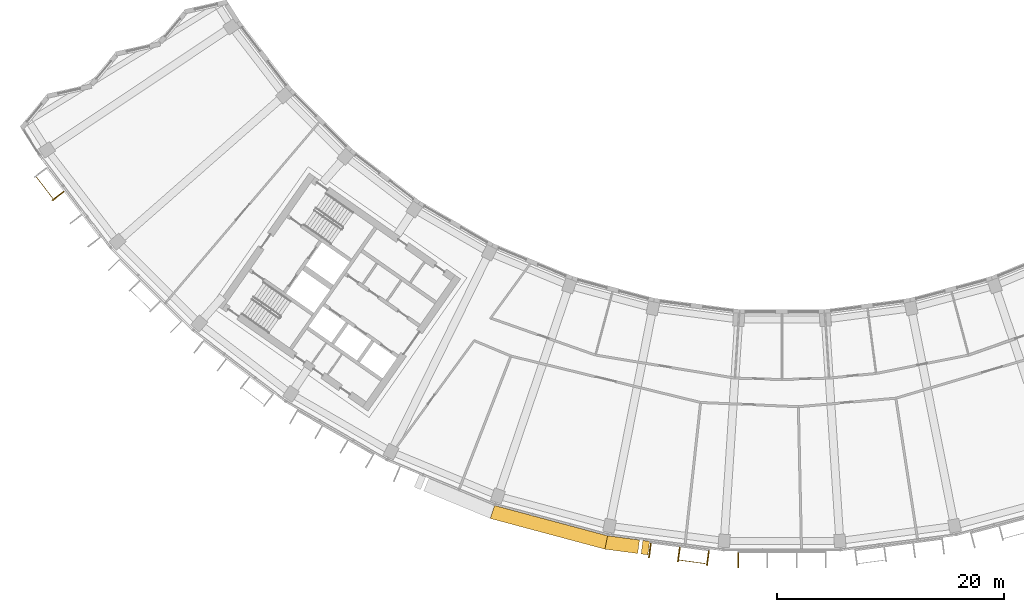
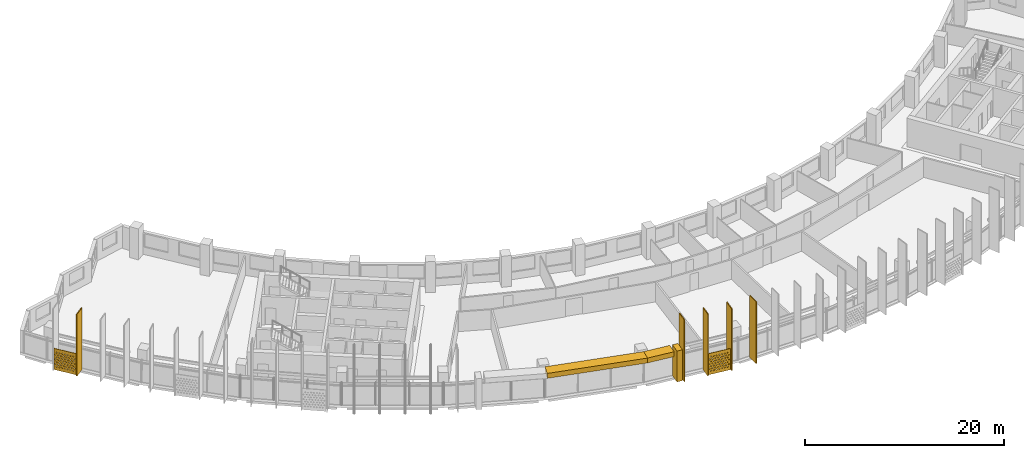
# One storey, part 25 of 28: 10 shading devices.
"""IFC4 building model written with IfcOpenShell, lengths in metres."""

import ifcopenshell
import ifcopenshell.guid

model = None  # the IFC model being written
_history = None  # IfcOwnerHistory: only IFC2X3 demands one
_inside = {}  # id of a spatial element -> (the spatial element, [elements in it])
_under = {}  # id of a project, library or spatial element -> (it, [spatial elements below it])
_declared = {}  # id of a project -> (the project, [libraries it declares])
_typed = {}  # id of a type object -> (the type object, [elements of that type])
_made_of = {}  # id of a material, layer set ... -> (it, [elements and type objects made of it])


def new_model(schema):
    """Start an empty IFC model of exactly this schema.

    Asked for "IFC4X3", IfcOpenShell would pick the latest addendum, in which some entities
    have other attributes; the version numbers below select the first issue.
    IFC2X3 requires an IfcOwnerHistory on every rooted entity: one is made here for all.
    """
    global model, _history
    if schema == "IFC4X3":
        model = ifcopenshell.file(schema_version=(4, 3, 0, 0))
    else:
        model = ifcopenshell.file(schema=schema)
    _inside.clear()
    _under.clear()
    _declared.clear()
    _typed.clear()
    _made_of.clear()
    _history = None
    if model.schema == "IFC2X3":
        org = make("IfcOrganization", Name="unknown")
        user = make(
            "IfcPersonAndOrganization",
            ThePerson=make("IfcPerson", FamilyName="unknown"),
            TheOrganization=org,
        )
        app = make(
            "IfcApplication",
            ApplicationDeveloper=org,
            Version="unknown",
            ApplicationFullName="unknown",
            ApplicationIdentifier="unknown",
        )
        _history = make(
            "IfcOwnerHistory",
            OwningUser=user,
            OwningApplication=app,
            ChangeAction="ADDED",
            CreationDate=0,
        )
    return model


def make(cls, **values):
    """One entity of the class cls with the attributes given. An attribute that is None is left unset."""
    return model.create_entity(
        cls, **{name: value for name, value in values.items() if value is not None}
    )


def rooted(cls, **values):
    """An entity with a GlobalId (a new one), such as an element, a storey or a relation."""
    return make(cls, GlobalId=ifcopenshell.guid.new(), OwnerHistory=_history, **values)


def si_unit(unit_type, name, prefix=None):
    """IfcSIUnit, for example si_unit("LENGTHUNIT", "METRE", prefix="MILLI")."""
    return make("IfcSIUnit", UnitType=unit_type, Prefix=prefix, Name=name)


def assignment(units):
    """IfcUnitAssignment: the units of a project."""
    return None if units is None else make("IfcUnitAssignment", Units=units)


def point(xyz):
    """IfcCartesianPoint."""
    return None if xyz is None else make("IfcCartesianPoint", Coordinates=xyz)


def direction(xyz):
    """IfcDirection."""
    return None if xyz is None else make("IfcDirection", DirectionRatios=xyz)


def frame(location, z_axis=None, x_axis=None):
    """IfcAxis2Placement3D, a coordinate frame: its origin and axes. An axis left out is left unset."""
    return make(
        "IfcAxis2Placement3D",
        Location=point(location),
        Axis=direction(z_axis),
        RefDirection=direction(x_axis),
    )


def frame_2d(location, x_axis=None):
    """IfcAxis2Placement2D, a coordinate frame in the plane: its origin and x axis."""
    return make(
        "IfcAxis2Placement2D", Location=point(location), RefDirection=direction(x_axis)
    )


def origin():
    """The frame at (0, 0, 0) with its axes left unset."""
    return frame((0.0, 0.0, 0.0))


def origin_2d():
    """The frame at (0, 0) in the plane with its x axis left unset."""
    return frame_2d((0.0, 0.0))


def place(relative_to, where):
    """IfcLocalPlacement: puts the frame where relative to a parent placement (None: the world)."""
    return make(
        "IfcLocalPlacement", PlacementRelTo=relative_to, RelativePlacement=where
    )


def context(
    kind, dimensions, precision=None, world=None, true_north=None, identifier=None
):
    """IfcGeometricRepresentationContext, for example the 3D "Model" context."""
    return make(
        "IfcGeometricRepresentationContext",
        ContextIdentifier=identifier,
        ContextType=kind,
        CoordinateSpaceDimension=dimensions,
        Precision=precision,
        WorldCoordinateSystem=world,
        TrueNorth=true_north,
    )


def subcontext(parent, identifier, kind, view, scale=None):
    """IfcGeometricRepresentationSubContext, for example "Body" below "Model"."""
    return make(
        "IfcGeometricRepresentationSubContext",
        ContextIdentifier=identifier,
        ContextType=kind,
        ParentContext=parent,
        TargetScale=scale,
        TargetView=view,
    )


def project(units=None, contexts=None):
    """IfcProject with its units and contexts."""
    return rooted(
        "IfcProject",
        Name="project",
        RepresentationContexts=contexts,
        UnitsInContext=assignment(units),
    )


def spatial(cls, under=None, at=None, **own):
    """A site, building, storey or space (cls), placed at a placement, below another one or the project."""
    s = rooted(cls, ObjectPlacement=at, **own)
    if under is not None:
        _under.setdefault(under.id(), (under, []))[1].append(s)
    return s


def polyline(points):
    """IfcPolyline through the points."""
    return make("IfcPolyline", Points=[point(p) for p in points])


def profile(cls, at=None, kind="AREA", **sizes):
    """A parametric profile (cls). Its sizes go by their IFC names, for example OverallWidth=200.0."""
    return make(cls, ProfileType=kind, Position=at, **sizes)


def rectangle(**sizes):
    """IfcRectangleProfileDef."""
    return profile("IfcRectangleProfileDef", **sizes)


def outline(outer, holes=None, kind="AREA"):
    """IfcArbitraryClosedProfileDef: a profile drawn as a closed curve; with holes, ...WithVoids."""
    if holes is None:
        return make("IfcArbitraryClosedProfileDef", ProfileType=kind, OuterCurve=outer)
    return make(
        "IfcArbitraryProfileDefWithVoids",
        ProfileType=kind,
        OuterCurve=outer,
        InnerCurves=holes,
    )


def extrude(swept, where, along, depth):
    """IfcExtrudedAreaSolid: the profile swept, set in the frame where, extruded along a direction by depth."""
    return make(
        "IfcExtrudedAreaSolid",
        SweptArea=swept,
        Position=where,
        ExtrudedDirection=direction(along),
        Depth=depth,
    )


def shape(context_of_items, identifier, shape_type, items):
    """IfcShapeRepresentation: the items that make up one representation, for example the "Body"."""
    return make(
        "IfcShapeRepresentation",
        ContextOfItems=context_of_items,
        RepresentationIdentifier=identifier,
        RepresentationType=shape_type,
        Items=items,
    )


def material(Name=None, Category=None):
    """IfcMaterial."""
    return make("IfcMaterial", Name=Name, Category=Category)


def material_profile(
    of_material, cross_section, Name=None, Category=None, Priority=None
):
    """IfcMaterialProfile: a cross section and its material."""
    return make(
        "IfcMaterialProfile",
        Name=Name,
        Material=of_material,
        Profile=cross_section,
        Priority=Priority,
        Category=Category,
    )


def profile_set(profiles, Name=None, composite=None):
    """IfcMaterialProfileSet."""
    return make(
        "IfcMaterialProfileSet",
        Name=Name,
        MaterialProfiles=profiles,
        CompositeProfile=composite,
    )


def made_of(thing, what):
    """Note that an element or type object is made of a material, layer set ...; save() writes the relation."""
    if what is not None:
        _made_of.setdefault(what.id(), (what, []))[1].append(thing)
    return thing


def type_object(cls, material=None, **own):
    """A type object (cls), such as IfcWallType, which elements share."""
    return made_of(rooted(cls, **own), material)


def element(
    cls,
    number,
    at=None,
    inside=None,
    cuts=None,
    type_object=None,
    material=None,
    context=None,
    identifier="Body",
    shape_type=None,
    held_by="IfcProductDefinitionShape",
    body=None,
    shapes=None,
    **own,
):
    """One element of the class cls, such as IfcWall. Its Tag is "e" and its number.

    at: its placement. inside: the storey or other place that contains it. cuts: it is an
    opening in that element (IfcRelVoidsElement). A single representation is given by context,
    identifier, shape_type and body (its items); several are given by shapes. held_by: the class
    of the entity that holds the representations. save() writes the other relations.
    """
    e = rooted(cls, Tag="e%d" % number, ObjectPlacement=at, **own)
    if body is not None:
        shapes = [shape(context, identifier, shape_type, body)]
    if shapes is not None:
        e.Representation = make(held_by, Representations=shapes)
    if inside is not None:
        _inside.setdefault(inside.id(), (inside, []))[1].append(e)
    if cuts is not None:
        rooted(
            "IfcRelVoidsElement", RelatingBuildingElement=cuts, RelatedOpeningElement=e
        )
    if type_object is not None:
        _typed.setdefault(type_object.id(), (type_object, []))[1].append(e)
    return made_of(e, material)


def aggregate(whole, parts):
    """IfcRelAggregates: a whole, such as a stair, and the parts it consists of."""
    return rooted("IfcRelAggregates", RelatingObject=whole, RelatedObjects=parts)


def save(model, path):
    """Write the relations noted so far, then the file.

    IfcRelAggregates (storeys below a building ...), IfcRelContainedInSpatialStructure (elements
    in a storey), IfcRelDefinesByType, IfcRelAssociatesMaterial and IfcRelDeclares: one each for
    every whole, place, type object, material and project.
    """
    for whole, parts in _under.values():
        aggregate(whole, parts)
    for where, things in _inside.values():
        rooted(
            "IfcRelContainedInSpatialStructure",
            RelatedElements=things,
            RelatingStructure=where,
        )
    for kind, things in _typed.values():
        rooted("IfcRelDefinesByType", RelatedObjects=things, RelatingType=kind)
    for what, things in _made_of.values():
        rooted("IfcRelAssociatesMaterial", RelatedObjects=things, RelatingMaterial=what)
    for by, libraries in _declared.values():
        rooted("IfcRelDeclares", RelatingContext=by, RelatedDefinitions=libraries)
    model.write(path)


model = new_model("IFC4")

# Units and contexts
model_context = context("Model", 3, precision=1e-05, world=origin(), true_north=direction((0.0, 1.0)))
body_context = subcontext(model_context, "Body", "Model", "MODEL_VIEW")
ifc_project = project(units=[si_unit("LENGTHUNIT", "METRE"), si_unit("AREAUNIT", "SQUARE_METRE"), si_unit("VOLUMEUNIT", "CUBIC_METRE"), si_unit("PLANEANGLEUNIT", "RADIAN"), si_unit("MASSUNIT", "GRAM", prefix="KILO")], contexts=[model_context])

# Site, building, storey
site_placement = place(None, origin())
site = spatial("IfcSite", under=ifc_project, at=site_placement, CompositionType="ELEMENT")
building_placement = place(site_placement, origin())
building = spatial("IfcBuilding", under=site, at=building_placement, Name="Qamariyya Broadcast Tower", CompositionType="ELEMENT")
storey_placement = place(building_placement, frame((0.0, 0.0, 234.10009765625)))
storey = spatial("IfcBuildingStorey", under=building, at=storey_placement, Name="L56", CompositionType="ELEMENT", Elevation=234.10009765625)

# Shading devices
ifc_material_1 = material(Name="Steel S355 powder coated deep red", Category="steel")
shading_device_type_1 = type_object("IfcShadingDeviceType", Name="Deep red frame, powder coated steel box section", PredefinedType="USERDEFINED", material=ifc_material_1)
shading_device_1_placement = place(storey_placement, origin())
element("IfcShadingDevice", 1, at=shading_device_1_placement, inside=storey, type_object=shading_device_type_1, Name="e-frm-B4-F1-postb-L56", ObjectType="FRAME", PredefinedType="USERDEFINED", context=body_context, shape_type="SweptSolid", body=[
    extrude(outline(polyline([(-12.2412109375, -77.547119140625), (-12.39794921875, -78.737060546875), (-11.802978515625, -78.815185546875), (-11.646484375, -77.62548828125), (-12.2412109375, -77.547119140625)])), origin(), (0.0, 0.0, 1.0), 3.7998046875),
])
shading_device_2_placement = place(storey_placement, frame((0.0, 0.0, 3.199951171875)))
element("IfcShadingDevice", 2, at=shading_device_2_placement, inside=storey, type_object=shading_device_type_1, Name="e-frm-B4-F1-top1", ObjectType="FRAME", PredefinedType="USERDEFINED", context=body_context, shape_type="SweptSolid", body=[
    extrude(outline(polyline([(-25.28125, -74.47607421875), (-25.667724609375, -75.61474609375), (-15.578369140625, -78.318115234375), (-15.34375, -77.138671875), (-25.28125, -74.47607421875)])), origin(), (0.0, 0.0, 1.0), 0.599853515625),
])
shading_device_3_placement = place(storey_placement, frame((0.0, 0.0, 3.199951171875)))
element("IfcShadingDevice", 3, at=shading_device_3_placement, inside=storey, type_object=shading_device_type_1, Name="e-frm-B4-F1-top2", ObjectType="FRAME", PredefinedType="USERDEFINED", context=body_context, shape_type="SweptSolid", body=[
    extrude(outline(polyline([(-15.34375, -77.138671875), (-15.578369140625, -78.318115234375), (-12.6953125, -78.69775390625), (-12.538818359375, -77.508056640625), (-15.34375, -77.138671875)])), origin(), (0.0, 0.0, 1.0), 0.599853515625),
])
ifc_material_2 = material(Name="Perforated glazed terracotta", Category="masonry")
ifc_material_profile_1 = material_profile(ifc_material_2, outline(polyline([(-1.199951171875, -1.300048828125), (1.199951171875, -1.300048828125), (1.199951171875, 1.300048828125), (-1.199951171875, 1.300048828125), (-1.199951171875, -1.300048828125)]), holes=[polyline([(-0.81494140625, -0.86669921875), (-0.89990234375, -0.78173828125), (-0.985107421875, -0.86669921875), (-0.89990234375, -0.95166015625), (-0.81494140625, -0.86669921875)]), polyline([(-0.514892578125, -0.86669921875), (-0.60009765625, -0.78173828125), (-0.68505859375, -0.86669921875), (-0.60009765625, -0.95166015625), (-0.514892578125, -0.86669921875)]), polyline([(-0.215087890625, -0.86669921875), (-0.300048828125, -0.78173828125), (-0.385009765625, -0.86669921875), (-0.300048828125, -0.95166015625), (-0.215087890625, -0.86669921875)]), polyline([(0.0849609375, -0.86669921875), (0.0, -0.78173828125), (-0.0849609375, -0.86669921875), (0.0, -0.95166015625), (0.0849609375, -0.86669921875)]), polyline([(0.385009765625, -0.86669921875), (0.300048828125, -0.78173828125), (0.215087890625, -0.86669921875), (0.300048828125, -0.95166015625), (0.385009765625, -0.86669921875)]), polyline([(0.68505859375, -0.86669921875), (0.60009765625, -0.78173828125), (0.514892578125, -0.86669921875), (0.60009765625, -0.95166015625), (0.68505859375, -0.86669921875)]), polyline([(0.985107421875, -0.86669921875), (0.89990234375, -0.78173828125), (0.81494140625, -0.86669921875), (0.89990234375, -0.95166015625), (0.985107421875, -0.86669921875)]), polyline([(-0.965087890625, -0.577880859375), (-1.050048828125, -0.49267578125), (-1.135009765625, -0.577880859375), (-1.050048828125, -0.662841796875), (-0.965087890625, -0.577880859375)]), polyline([(-0.6650390625, -0.577880859375), (-0.75, -0.49267578125), (-0.8349609375, -0.577880859375), (-0.75, -0.662841796875), (-0.6650390625, -0.577880859375)]), polyline([(-0.364990234375, -0.577880859375), (-0.449951171875, -0.49267578125), (-0.534912109375, -0.577880859375), (-0.449951171875, -0.662841796875), (-0.364990234375, -0.577880859375)]), polyline([(-0.06494140625, -0.577880859375), (-0.14990234375, -0.49267578125), (-0.235107421875, -0.577880859375), (-0.14990234375, -0.662841796875), (-0.06494140625, -0.577880859375)]), polyline([(0.235107421875, -0.577880859375), (0.14990234375, -0.49267578125), (0.06494140625, -0.577880859375), (0.14990234375, -0.662841796875), (0.235107421875, -0.577880859375)]), polyline([(0.534912109375, -0.577880859375), (0.449951171875, -0.49267578125), (0.364990234375, -0.577880859375), (0.449951171875, -0.662841796875), (0.534912109375, -0.577880859375)]), polyline([(0.8349609375, -0.577880859375), (0.75, -0.49267578125), (0.6650390625, -0.577880859375), (0.75, -0.662841796875), (0.8349609375, -0.577880859375)]), polyline([(1.135009765625, -0.577880859375), (1.050048828125, -0.49267578125), (0.965087890625, -0.577880859375), (1.050048828125, -0.662841796875), (1.135009765625, -0.577880859375)]), polyline([(-0.81494140625, -0.288818359375), (-0.89990234375, -0.203857421875), (-0.985107421875, -0.288818359375), (-0.89990234375, -0.373779296875), (-0.81494140625, -0.288818359375)]), polyline([(-0.514892578125, -0.288818359375), (-0.60009765625, -0.203857421875), (-0.68505859375, -0.288818359375), (-0.60009765625, -0.373779296875), (-0.514892578125, -0.288818359375)]), polyline([(-0.215087890625, -0.288818359375), (-0.300048828125, -0.203857421875), (-0.385009765625, -0.288818359375), (-0.300048828125, -0.373779296875), (-0.215087890625, -0.288818359375)]), polyline([(0.0849609375, -0.288818359375), (0.0, -0.203857421875), (-0.0849609375, -0.288818359375), (0.0, -0.373779296875), (0.0849609375, -0.288818359375)]), polyline([(0.385009765625, -0.288818359375), (0.300048828125, -0.203857421875), (0.215087890625, -0.288818359375), (0.300048828125, -0.373779296875), (0.385009765625, -0.288818359375)]), polyline([(0.68505859375, -0.288818359375), (0.60009765625, -0.203857421875), (0.514892578125, -0.288818359375), (0.60009765625, -0.373779296875), (0.68505859375, -0.288818359375)]), polyline([(0.985107421875, -0.288818359375), (0.89990234375, -0.203857421875), (0.81494140625, -0.288818359375), (0.89990234375, -0.373779296875), (0.985107421875, -0.288818359375)]), polyline([(-0.965087890625, 0.0), (-1.050048828125, 0.0849609375), (-1.135009765625, 0.0), (-1.050048828125, -0.0849609375), (-0.965087890625, 0.0)]), polyline([(-0.6650390625, 0.0), (-0.75, 0.0849609375), (-0.8349609375, 0.0), (-0.75, -0.0849609375), (-0.6650390625, 0.0)]), polyline([(-0.364990234375, 0.0), (-0.449951171875, 0.0849609375), (-0.534912109375, 0.0), (-0.449951171875, -0.0849609375), (-0.364990234375, 0.0)]), polyline([(-0.06494140625, 0.0), (-0.14990234375, 0.0849609375), (-0.235107421875, 0.0), (-0.14990234375, -0.0849609375), (-0.06494140625, 0.0)]), polyline([(0.235107421875, 0.0), (0.14990234375, 0.0849609375), (0.06494140625, 0.0), (0.14990234375, -0.0849609375), (0.235107421875, 0.0)]), polyline([(0.534912109375, 0.0), (0.449951171875, 0.0849609375), (0.364990234375, 0.0), (0.449951171875, -0.0849609375), (0.534912109375, 0.0)]), polyline([(0.8349609375, 0.0), (0.75, 0.0849609375), (0.6650390625, 0.0), (0.75, -0.0849609375), (0.8349609375, 0.0)]), polyline([(1.135009765625, 0.0), (1.050048828125, 0.0849609375), (0.965087890625, 0.0), (1.050048828125, -0.0849609375), (1.135009765625, 0.0)]), polyline([(-0.81494140625, 0.288818359375), (-0.89990234375, 0.373779296875), (-0.985107421875, 0.288818359375), (-0.89990234375, 0.203857421875), (-0.81494140625, 0.288818359375)]), polyline([(-0.514892578125, 0.288818359375), (-0.60009765625, 0.373779296875), (-0.68505859375, 0.288818359375), (-0.60009765625, 0.203857421875), (-0.514892578125, 0.288818359375)]), polyline([(-0.215087890625, 0.288818359375), (-0.300048828125, 0.373779296875), (-0.385009765625, 0.288818359375), (-0.300048828125, 0.203857421875), (-0.215087890625, 0.288818359375)]), polyline([(0.0849609375, 0.288818359375), (0.0, 0.373779296875), (-0.0849609375, 0.288818359375), (0.0, 0.203857421875), (0.0849609375, 0.288818359375)]), polyline([(0.385009765625, 0.288818359375), (0.300048828125, 0.373779296875), (0.215087890625, 0.288818359375), (0.300048828125, 0.203857421875), (0.385009765625, 0.288818359375)]), polyline([(0.68505859375, 0.288818359375), (0.60009765625, 0.373779296875), (0.514892578125, 0.288818359375), (0.60009765625, 0.203857421875), (0.68505859375, 0.288818359375)]), polyline([(0.985107421875, 0.288818359375), (0.89990234375, 0.373779296875), (0.81494140625, 0.288818359375), (0.89990234375, 0.203857421875), (0.985107421875, 0.288818359375)]), polyline([(-0.965087890625, 0.577880859375), (-1.050048828125, 0.662841796875), (-1.135009765625, 0.577880859375), (-1.050048828125, 0.49267578125), (-0.965087890625, 0.577880859375)]), polyline([(-0.6650390625, 0.577880859375), (-0.75, 0.662841796875), (-0.8349609375, 0.577880859375), (-0.75, 0.49267578125), (-0.6650390625, 0.577880859375)]), polyline([(-0.364990234375, 0.577880859375), (-0.449951171875, 0.662841796875), (-0.534912109375, 0.577880859375), (-0.449951171875, 0.49267578125), (-0.364990234375, 0.577880859375)]), polyline([(-0.06494140625, 0.577880859375), (-0.14990234375, 0.662841796875), (-0.235107421875, 0.577880859375), (-0.14990234375, 0.49267578125), (-0.06494140625, 0.577880859375)]), polyline([(0.235107421875, 0.577880859375), (0.14990234375, 0.662841796875), (0.06494140625, 0.577880859375), (0.14990234375, 0.49267578125), (0.235107421875, 0.577880859375)]), polyline([(0.534912109375, 0.577880859375), (0.449951171875, 0.662841796875), (0.364990234375, 0.577880859375), (0.449951171875, 0.49267578125), (0.534912109375, 0.577880859375)]), polyline([(0.8349609375, 0.577880859375), (0.75, 0.662841796875), (0.6650390625, 0.577880859375), (0.75, 0.49267578125), (0.8349609375, 0.577880859375)]), polyline([(1.135009765625, 0.577880859375), (1.050048828125, 0.662841796875), (0.965087890625, 0.577880859375), (1.050048828125, 0.49267578125), (1.135009765625, 0.577880859375)]), polyline([(-0.81494140625, 0.86669921875), (-0.89990234375, 0.95166015625), (-0.985107421875, 0.86669921875), (-0.89990234375, 0.78173828125), (-0.81494140625, 0.86669921875)]), polyline([(-0.514892578125, 0.86669921875), (-0.60009765625, 0.95166015625), (-0.68505859375, 0.86669921875), (-0.60009765625, 0.78173828125), (-0.514892578125, 0.86669921875)]), polyline([(-0.215087890625, 0.86669921875), (-0.300048828125, 0.95166015625), (-0.385009765625, 0.86669921875), (-0.300048828125, 0.78173828125), (-0.215087890625, 0.86669921875)]), polyline([(0.0849609375, 0.86669921875), (0.0, 0.95166015625), (-0.0849609375, 0.86669921875), (0.0, 0.78173828125), (0.0849609375, 0.86669921875)]), polyline([(0.385009765625, 0.86669921875), (0.300048828125, 0.95166015625), (0.215087890625, 0.86669921875), (0.300048828125, 0.78173828125), (0.385009765625, 0.86669921875)]), polyline([(0.68505859375, 0.86669921875), (0.60009765625, 0.95166015625), (0.514892578125, 0.86669921875), (0.60009765625, 0.78173828125), (0.68505859375, 0.86669921875)]), polyline([(0.985107421875, 0.86669921875), (0.89990234375, 0.95166015625), (0.81494140625, 0.86669921875), (0.89990234375, 0.78173828125), (0.985107421875, 0.86669921875)])]))
ifc_profile_set_1 = profile_set([ifc_material_profile_1], Name="Perforated glazed terracotta")
shading_device_type_2 = type_object("IfcShadingDeviceType", Name="Perforated terracotta screen 2400 x 2600", PredefinedType="USERDEFINED", material=ifc_profile_set_1)
shading_device_4_placement = place(storey_placement, frame((-64.85888671875, -46.480712890625, 1.349853515625), z_axis=(-0.794589096806, -0.607147566278, 0.0), x_axis=(0.607147566278, -0.794589096806, 0.0)))
element("IfcShadingDevice", 4, at=shading_device_4_placement, inside=storey, type_object=shading_device_type_2, Name="e-scr-L56-01-0", ObjectType="SCREEN", PredefinedType="USERDEFINED", context=body_context, shape_type="SweptSolid", body=[
    extrude(outline(polyline([(-1.199951171875, -1.300048828125), (1.199951171875, -1.300048828125), (1.199951171875, 1.300048828125), (-1.199951171875, 1.300048828125), (-1.199951171875, -1.300048828125)]), holes=[polyline([(-0.81494140625, -0.86669921875), (-0.89990234375, -0.78173828125), (-0.985107421875, -0.86669921875), (-0.89990234375, -0.95166015625), (-0.81494140625, -0.86669921875)]), polyline([(-0.514892578125, -0.86669921875), (-0.60009765625, -0.78173828125), (-0.68505859375, -0.86669921875), (-0.60009765625, -0.95166015625), (-0.514892578125, -0.86669921875)]), polyline([(-0.215087890625, -0.86669921875), (-0.300048828125, -0.78173828125), (-0.385009765625, -0.86669921875), (-0.300048828125, -0.95166015625), (-0.215087890625, -0.86669921875)]), polyline([(0.0849609375, -0.86669921875), (0.0, -0.78173828125), (-0.0849609375, -0.86669921875), (0.0, -0.95166015625), (0.0849609375, -0.86669921875)]), polyline([(0.385009765625, -0.86669921875), (0.300048828125, -0.78173828125), (0.215087890625, -0.86669921875), (0.300048828125, -0.95166015625), (0.385009765625, -0.86669921875)]), polyline([(0.68505859375, -0.86669921875), (0.60009765625, -0.78173828125), (0.514892578125, -0.86669921875), (0.60009765625, -0.95166015625), (0.68505859375, -0.86669921875)]), polyline([(0.985107421875, -0.86669921875), (0.89990234375, -0.78173828125), (0.81494140625, -0.86669921875), (0.89990234375, -0.95166015625), (0.985107421875, -0.86669921875)]), polyline([(-0.965087890625, -0.577880859375), (-1.050048828125, -0.49267578125), (-1.135009765625, -0.577880859375), (-1.050048828125, -0.662841796875), (-0.965087890625, -0.577880859375)]), polyline([(-0.6650390625, -0.577880859375), (-0.75, -0.49267578125), (-0.8349609375, -0.577880859375), (-0.75, -0.662841796875), (-0.6650390625, -0.577880859375)]), polyline([(-0.364990234375, -0.577880859375), (-0.449951171875, -0.49267578125), (-0.534912109375, -0.577880859375), (-0.449951171875, -0.662841796875), (-0.364990234375, -0.577880859375)]), polyline([(-0.06494140625, -0.577880859375), (-0.14990234375, -0.49267578125), (-0.235107421875, -0.577880859375), (-0.14990234375, -0.662841796875), (-0.06494140625, -0.577880859375)]), polyline([(0.235107421875, -0.577880859375), (0.14990234375, -0.49267578125), (0.06494140625, -0.577880859375), (0.14990234375, -0.662841796875), (0.235107421875, -0.577880859375)]), polyline([(0.534912109375, -0.577880859375), (0.449951171875, -0.49267578125), (0.364990234375, -0.577880859375), (0.449951171875, -0.662841796875), (0.534912109375, -0.577880859375)]), polyline([(0.8349609375, -0.577880859375), (0.75, -0.49267578125), (0.6650390625, -0.577880859375), (0.75, -0.662841796875), (0.8349609375, -0.577880859375)]), polyline([(1.135009765625, -0.577880859375), (1.050048828125, -0.49267578125), (0.965087890625, -0.577880859375), (1.050048828125, -0.662841796875), (1.135009765625, -0.577880859375)]), polyline([(-0.81494140625, -0.288818359375), (-0.89990234375, -0.203857421875), (-0.985107421875, -0.288818359375), (-0.89990234375, -0.373779296875), (-0.81494140625, -0.288818359375)]), polyline([(-0.514892578125, -0.288818359375), (-0.60009765625, -0.203857421875), (-0.68505859375, -0.288818359375), (-0.60009765625, -0.373779296875), (-0.514892578125, -0.288818359375)]), polyline([(-0.215087890625, -0.288818359375), (-0.300048828125, -0.203857421875), (-0.385009765625, -0.288818359375), (-0.300048828125, -0.373779296875), (-0.215087890625, -0.288818359375)]), polyline([(0.0849609375, -0.288818359375), (0.0, -0.203857421875), (-0.0849609375, -0.288818359375), (0.0, -0.373779296875), (0.0849609375, -0.288818359375)]), polyline([(0.385009765625, -0.288818359375), (0.300048828125, -0.203857421875), (0.215087890625, -0.288818359375), (0.300048828125, -0.373779296875), (0.385009765625, -0.288818359375)]), polyline([(0.68505859375, -0.288818359375), (0.60009765625, -0.203857421875), (0.514892578125, -0.288818359375), (0.60009765625, -0.373779296875), (0.68505859375, -0.288818359375)]), polyline([(0.985107421875, -0.288818359375), (0.89990234375, -0.203857421875), (0.81494140625, -0.288818359375), (0.89990234375, -0.373779296875), (0.985107421875, -0.288818359375)]), polyline([(-0.965087890625, 0.0), (-1.050048828125, 0.0849609375), (-1.135009765625, 0.0), (-1.050048828125, -0.0849609375), (-0.965087890625, 0.0)]), polyline([(-0.6650390625, 0.0), (-0.75, 0.0849609375), (-0.8349609375, 0.0), (-0.75, -0.0849609375), (-0.6650390625, 0.0)]), polyline([(-0.364990234375, 0.0), (-0.449951171875, 0.0849609375), (-0.534912109375, 0.0), (-0.449951171875, -0.0849609375), (-0.364990234375, 0.0)]), polyline([(-0.06494140625, 0.0), (-0.14990234375, 0.0849609375), (-0.235107421875, 0.0), (-0.14990234375, -0.0849609375), (-0.06494140625, 0.0)]), polyline([(0.235107421875, 0.0), (0.14990234375, 0.0849609375), (0.06494140625, 0.0), (0.14990234375, -0.0849609375), (0.235107421875, 0.0)]), polyline([(0.534912109375, 0.0), (0.449951171875, 0.0849609375), (0.364990234375, 0.0), (0.449951171875, -0.0849609375), (0.534912109375, 0.0)]), polyline([(0.8349609375, 0.0), (0.75, 0.0849609375), (0.6650390625, 0.0), (0.75, -0.0849609375), (0.8349609375, 0.0)]), polyline([(1.135009765625, 0.0), (1.050048828125, 0.0849609375), (0.965087890625, 0.0), (1.050048828125, -0.0849609375), (1.135009765625, 0.0)]), polyline([(-0.81494140625, 0.288818359375), (-0.89990234375, 0.373779296875), (-0.985107421875, 0.288818359375), (-0.89990234375, 0.203857421875), (-0.81494140625, 0.288818359375)]), polyline([(-0.514892578125, 0.288818359375), (-0.60009765625, 0.373779296875), (-0.68505859375, 0.288818359375), (-0.60009765625, 0.203857421875), (-0.514892578125, 0.288818359375)]), polyline([(-0.215087890625, 0.288818359375), (-0.300048828125, 0.373779296875), (-0.385009765625, 0.288818359375), (-0.300048828125, 0.203857421875), (-0.215087890625, 0.288818359375)]), polyline([(0.0849609375, 0.288818359375), (0.0, 0.373779296875), (-0.0849609375, 0.288818359375), (0.0, 0.203857421875), (0.0849609375, 0.288818359375)]), polyline([(0.385009765625, 0.288818359375), (0.300048828125, 0.373779296875), (0.215087890625, 0.288818359375), (0.300048828125, 0.203857421875), (0.385009765625, 0.288818359375)]), polyline([(0.68505859375, 0.288818359375), (0.60009765625, 0.373779296875), (0.514892578125, 0.288818359375), (0.60009765625, 0.203857421875), (0.68505859375, 0.288818359375)]), polyline([(0.985107421875, 0.288818359375), (0.89990234375, 0.373779296875), (0.81494140625, 0.288818359375), (0.89990234375, 0.203857421875), (0.985107421875, 0.288818359375)]), polyline([(-0.965087890625, 0.577880859375), (-1.050048828125, 0.662841796875), (-1.135009765625, 0.577880859375), (-1.050048828125, 0.49267578125), (-0.965087890625, 0.577880859375)]), polyline([(-0.6650390625, 0.577880859375), (-0.75, 0.662841796875), (-0.8349609375, 0.577880859375), (-0.75, 0.49267578125), (-0.6650390625, 0.577880859375)]), polyline([(-0.364990234375, 0.577880859375), (-0.449951171875, 0.662841796875), (-0.534912109375, 0.577880859375), (-0.449951171875, 0.49267578125), (-0.364990234375, 0.577880859375)]), polyline([(-0.06494140625, 0.577880859375), (-0.14990234375, 0.662841796875), (-0.235107421875, 0.577880859375), (-0.14990234375, 0.49267578125), (-0.06494140625, 0.577880859375)]), polyline([(0.235107421875, 0.577880859375), (0.14990234375, 0.662841796875), (0.06494140625, 0.577880859375), (0.14990234375, 0.49267578125), (0.235107421875, 0.577880859375)]), polyline([(0.534912109375, 0.577880859375), (0.449951171875, 0.662841796875), (0.364990234375, 0.577880859375), (0.449951171875, 0.49267578125), (0.534912109375, 0.577880859375)]), polyline([(0.8349609375, 0.577880859375), (0.75, 0.662841796875), (0.6650390625, 0.577880859375), (0.75, 0.49267578125), (0.8349609375, 0.577880859375)]), polyline([(1.135009765625, 0.577880859375), (1.050048828125, 0.662841796875), (0.965087890625, 0.577880859375), (1.050048828125, 0.49267578125), (1.135009765625, 0.577880859375)]), polyline([(-0.81494140625, 0.86669921875), (-0.89990234375, 0.95166015625), (-0.985107421875, 0.86669921875), (-0.89990234375, 0.78173828125), (-0.81494140625, 0.86669921875)]), polyline([(-0.514892578125, 0.86669921875), (-0.60009765625, 0.95166015625), (-0.68505859375, 0.86669921875), (-0.60009765625, 0.78173828125), (-0.514892578125, 0.86669921875)]), polyline([(-0.215087890625, 0.86669921875), (-0.300048828125, 0.95166015625), (-0.385009765625, 0.86669921875), (-0.300048828125, 0.78173828125), (-0.215087890625, 0.86669921875)]), polyline([(0.0849609375, 0.86669921875), (0.0, 0.95166015625), (-0.0849609375, 0.86669921875), (0.0, 0.78173828125), (0.0849609375, 0.86669921875)]), polyline([(0.385009765625, 0.86669921875), (0.300048828125, 0.95166015625), (0.215087890625, 0.86669921875), (0.300048828125, 0.78173828125), (0.385009765625, 0.86669921875)]), polyline([(0.68505859375, 0.86669921875), (0.60009765625, 0.95166015625), (0.514892578125, 0.86669921875), (0.60009765625, 0.78173828125), (0.68505859375, 0.86669921875)]), polyline([(0.985107421875, 0.86669921875), (0.89990234375, 0.95166015625), (0.81494140625, 0.86669921875), (0.89990234375, 0.78173828125), (0.985107421875, 0.86669921875)])]), origin(), (0.0, 0.0, 1.0), 0.059814453125),
])
shading_device_5_placement = place(storey_placement, frame((-7.895263671875, -79.400390625, 1.349853515625), z_axis=(-0.13456727237, -0.990904460181, 0.0), x_axis=(0.990904460181, -0.13456727237, 0.0)))
element("IfcShadingDevice", 5, at=shading_device_5_placement, inside=storey, type_object=shading_device_type_2, Name="e-scr-L56-07-2", ObjectType="SCREEN", PredefinedType="USERDEFINED", context=body_context, shape_type="SweptSolid", body=[
    extrude(outline(polyline([(-1.199951171875, -1.300048828125), (1.199951171875, -1.300048828125), (1.199951171875, 1.300048828125), (-1.199951171875, 1.300048828125), (-1.199951171875, -1.300048828125)]), holes=[polyline([(-0.81494140625, -0.86669921875), (-0.89990234375, -0.78173828125), (-0.985107421875, -0.86669921875), (-0.89990234375, -0.95166015625), (-0.81494140625, -0.86669921875)]), polyline([(-0.514892578125, -0.86669921875), (-0.60009765625, -0.78173828125), (-0.68505859375, -0.86669921875), (-0.60009765625, -0.95166015625), (-0.514892578125, -0.86669921875)]), polyline([(-0.215087890625, -0.86669921875), (-0.300048828125, -0.78173828125), (-0.385009765625, -0.86669921875), (-0.300048828125, -0.95166015625), (-0.215087890625, -0.86669921875)]), polyline([(0.0849609375, -0.86669921875), (0.0, -0.78173828125), (-0.0849609375, -0.86669921875), (0.0, -0.95166015625), (0.0849609375, -0.86669921875)]), polyline([(0.385009765625, -0.86669921875), (0.300048828125, -0.78173828125), (0.215087890625, -0.86669921875), (0.300048828125, -0.95166015625), (0.385009765625, -0.86669921875)]), polyline([(0.68505859375, -0.86669921875), (0.60009765625, -0.78173828125), (0.514892578125, -0.86669921875), (0.60009765625, -0.95166015625), (0.68505859375, -0.86669921875)]), polyline([(0.985107421875, -0.86669921875), (0.89990234375, -0.78173828125), (0.81494140625, -0.86669921875), (0.89990234375, -0.95166015625), (0.985107421875, -0.86669921875)]), polyline([(-0.965087890625, -0.577880859375), (-1.050048828125, -0.49267578125), (-1.135009765625, -0.577880859375), (-1.050048828125, -0.662841796875), (-0.965087890625, -0.577880859375)]), polyline([(-0.6650390625, -0.577880859375), (-0.75, -0.49267578125), (-0.8349609375, -0.577880859375), (-0.75, -0.662841796875), (-0.6650390625, -0.577880859375)]), polyline([(-0.364990234375, -0.577880859375), (-0.449951171875, -0.49267578125), (-0.534912109375, -0.577880859375), (-0.449951171875, -0.662841796875), (-0.364990234375, -0.577880859375)]), polyline([(-0.06494140625, -0.577880859375), (-0.14990234375, -0.49267578125), (-0.235107421875, -0.577880859375), (-0.14990234375, -0.662841796875), (-0.06494140625, -0.577880859375)]), polyline([(0.235107421875, -0.577880859375), (0.14990234375, -0.49267578125), (0.06494140625, -0.577880859375), (0.14990234375, -0.662841796875), (0.235107421875, -0.577880859375)]), polyline([(0.534912109375, -0.577880859375), (0.449951171875, -0.49267578125), (0.364990234375, -0.577880859375), (0.449951171875, -0.662841796875), (0.534912109375, -0.577880859375)]), polyline([(0.8349609375, -0.577880859375), (0.75, -0.49267578125), (0.6650390625, -0.577880859375), (0.75, -0.662841796875), (0.8349609375, -0.577880859375)]), polyline([(1.135009765625, -0.577880859375), (1.050048828125, -0.49267578125), (0.965087890625, -0.577880859375), (1.050048828125, -0.662841796875), (1.135009765625, -0.577880859375)]), polyline([(-0.81494140625, -0.288818359375), (-0.89990234375, -0.203857421875), (-0.985107421875, -0.288818359375), (-0.89990234375, -0.373779296875), (-0.81494140625, -0.288818359375)]), polyline([(-0.514892578125, -0.288818359375), (-0.60009765625, -0.203857421875), (-0.68505859375, -0.288818359375), (-0.60009765625, -0.373779296875), (-0.514892578125, -0.288818359375)]), polyline([(-0.215087890625, -0.288818359375), (-0.300048828125, -0.203857421875), (-0.385009765625, -0.288818359375), (-0.300048828125, -0.373779296875), (-0.215087890625, -0.288818359375)]), polyline([(0.0849609375, -0.288818359375), (0.0, -0.203857421875), (-0.0849609375, -0.288818359375), (0.0, -0.373779296875), (0.0849609375, -0.288818359375)]), polyline([(0.385009765625, -0.288818359375), (0.300048828125, -0.203857421875), (0.215087890625, -0.288818359375), (0.300048828125, -0.373779296875), (0.385009765625, -0.288818359375)]), polyline([(0.68505859375, -0.288818359375), (0.60009765625, -0.203857421875), (0.514892578125, -0.288818359375), (0.60009765625, -0.373779296875), (0.68505859375, -0.288818359375)]), polyline([(0.985107421875, -0.288818359375), (0.89990234375, -0.203857421875), (0.81494140625, -0.288818359375), (0.89990234375, -0.373779296875), (0.985107421875, -0.288818359375)]), polyline([(-0.965087890625, 0.0), (-1.050048828125, 0.0849609375), (-1.135009765625, 0.0), (-1.050048828125, -0.0849609375), (-0.965087890625, 0.0)]), polyline([(-0.6650390625, 0.0), (-0.75, 0.0849609375), (-0.8349609375, 0.0), (-0.75, -0.0849609375), (-0.6650390625, 0.0)]), polyline([(-0.364990234375, 0.0), (-0.449951171875, 0.0849609375), (-0.534912109375, 0.0), (-0.449951171875, -0.0849609375), (-0.364990234375, 0.0)]), polyline([(-0.06494140625, 0.0), (-0.14990234375, 0.0849609375), (-0.235107421875, 0.0), (-0.14990234375, -0.0849609375), (-0.06494140625, 0.0)]), polyline([(0.235107421875, 0.0), (0.14990234375, 0.0849609375), (0.06494140625, 0.0), (0.14990234375, -0.0849609375), (0.235107421875, 0.0)]), polyline([(0.534912109375, 0.0), (0.449951171875, 0.0849609375), (0.364990234375, 0.0), (0.449951171875, -0.0849609375), (0.534912109375, 0.0)]), polyline([(0.8349609375, 0.0), (0.75, 0.0849609375), (0.6650390625, 0.0), (0.75, -0.0849609375), (0.8349609375, 0.0)]), polyline([(1.135009765625, 0.0), (1.050048828125, 0.0849609375), (0.965087890625, 0.0), (1.050048828125, -0.0849609375), (1.135009765625, 0.0)]), polyline([(-0.81494140625, 0.288818359375), (-0.89990234375, 0.373779296875), (-0.985107421875, 0.288818359375), (-0.89990234375, 0.203857421875), (-0.81494140625, 0.288818359375)]), polyline([(-0.514892578125, 0.288818359375), (-0.60009765625, 0.373779296875), (-0.68505859375, 0.288818359375), (-0.60009765625, 0.203857421875), (-0.514892578125, 0.288818359375)]), polyline([(-0.215087890625, 0.288818359375), (-0.300048828125, 0.373779296875), (-0.385009765625, 0.288818359375), (-0.300048828125, 0.203857421875), (-0.215087890625, 0.288818359375)]), polyline([(0.0849609375, 0.288818359375), (0.0, 0.373779296875), (-0.0849609375, 0.288818359375), (0.0, 0.203857421875), (0.0849609375, 0.288818359375)]), polyline([(0.385009765625, 0.288818359375), (0.300048828125, 0.373779296875), (0.215087890625, 0.288818359375), (0.300048828125, 0.203857421875), (0.385009765625, 0.288818359375)]), polyline([(0.68505859375, 0.288818359375), (0.60009765625, 0.373779296875), (0.514892578125, 0.288818359375), (0.60009765625, 0.203857421875), (0.68505859375, 0.288818359375)]), polyline([(0.985107421875, 0.288818359375), (0.89990234375, 0.373779296875), (0.81494140625, 0.288818359375), (0.89990234375, 0.203857421875), (0.985107421875, 0.288818359375)]), polyline([(-0.965087890625, 0.577880859375), (-1.050048828125, 0.662841796875), (-1.135009765625, 0.577880859375), (-1.050048828125, 0.49267578125), (-0.965087890625, 0.577880859375)]), polyline([(-0.6650390625, 0.577880859375), (-0.75, 0.662841796875), (-0.8349609375, 0.577880859375), (-0.75, 0.49267578125), (-0.6650390625, 0.577880859375)]), polyline([(-0.364990234375, 0.577880859375), (-0.449951171875, 0.662841796875), (-0.534912109375, 0.577880859375), (-0.449951171875, 0.49267578125), (-0.364990234375, 0.577880859375)]), polyline([(-0.06494140625, 0.577880859375), (-0.14990234375, 0.662841796875), (-0.235107421875, 0.577880859375), (-0.14990234375, 0.49267578125), (-0.06494140625, 0.577880859375)]), polyline([(0.235107421875, 0.577880859375), (0.14990234375, 0.662841796875), (0.06494140625, 0.577880859375), (0.14990234375, 0.49267578125), (0.235107421875, 0.577880859375)]), polyline([(0.534912109375, 0.577880859375), (0.449951171875, 0.662841796875), (0.364990234375, 0.577880859375), (0.449951171875, 0.49267578125), (0.534912109375, 0.577880859375)]), polyline([(0.8349609375, 0.577880859375), (0.75, 0.662841796875), (0.6650390625, 0.577880859375), (0.75, 0.49267578125), (0.8349609375, 0.577880859375)]), polyline([(1.135009765625, 0.577880859375), (1.050048828125, 0.662841796875), (0.965087890625, 0.577880859375), (1.050048828125, 0.49267578125), (1.135009765625, 0.577880859375)]), polyline([(-0.81494140625, 0.86669921875), (-0.89990234375, 0.95166015625), (-0.985107421875, 0.86669921875), (-0.89990234375, 0.78173828125), (-0.81494140625, 0.86669921875)]), polyline([(-0.514892578125, 0.86669921875), (-0.60009765625, 0.95166015625), (-0.68505859375, 0.86669921875), (-0.60009765625, 0.78173828125), (-0.514892578125, 0.86669921875)]), polyline([(-0.215087890625, 0.86669921875), (-0.300048828125, 0.95166015625), (-0.385009765625, 0.86669921875), (-0.300048828125, 0.78173828125), (-0.215087890625, 0.86669921875)]), polyline([(0.0849609375, 0.86669921875), (0.0, 0.95166015625), (-0.0849609375, 0.86669921875), (0.0, 0.78173828125), (0.0849609375, 0.86669921875)]), polyline([(0.385009765625, 0.86669921875), (0.300048828125, 0.95166015625), (0.215087890625, 0.86669921875), (0.300048828125, 0.78173828125), (0.385009765625, 0.86669921875)]), polyline([(0.68505859375, 0.86669921875), (0.60009765625, 0.95166015625), (0.514892578125, 0.86669921875), (0.60009765625, 0.78173828125), (0.68505859375, 0.86669921875)]), polyline([(0.985107421875, 0.86669921875), (0.89990234375, 0.95166015625), (0.81494140625, 0.86669921875), (0.89990234375, 0.78173828125), (0.985107421875, 0.86669921875)])]), origin(), (0.0, 0.0, 1.0), 0.059814453125),
])
ifc_material_3 = material(Name="Glazed terracotta", Category="masonry")
ifc_material_profile_2 = material_profile(ifc_material_3, rectangle(XDim=1.300048828125, YDim=0.10009765625, at=origin_2d()))
ifc_profile_set_2 = profile_set([ifc_material_profile_2], Name="Glazed terracotta")
shading_device_type_3 = type_object("IfcShadingDeviceType", Name="Terracotta fin 100 x 1300", PredefinedType="USERDEFINED", material=ifc_profile_set_2)
for number, where, z_axis, x_axis, name in (
    (6, (-63.68115234375, -47.243408203125, 0.0), (0.0, 0.0, 1.0), (-0.793353340291, -0.608761429009, 0.0), "e-fin-L56-01-1"),
    (7, (-11.623291015625, -78.435546875, 0.0), (0.0, 0.0, 1.0), (-0.13052619222, -0.991444861374, 0.0), "e-fin-L56-07-1"),
    (8, (-9.0732421875, -78.771240234375, 0.0), (0.0, 0.0, 1.0), (-0.13052619222, -0.991444861374, 0.0), "e-fin-L56-07-2"),
    (9, (-6.5234375, -79.10693359375, 0.0), (0.0, 0.0, 1.0), (-0.13052619222, -0.991444861374, 0.0), "e-fin-L56-07-3"),
    (10, (-3.85791015625, -79.281494140625, 0.0), (0.0, 0.0, 1.0), (0.0, -1.0, 0.0), "e-fin-L56-08-0"),
):
    element("IfcShadingDevice", number, at=place(storey_placement, frame(where, z_axis=z_axis, x_axis=x_axis)), inside=storey, type_object=shading_device_type_3, Name=name, ObjectType="FIN", PredefinedType="USERDEFINED", context=body_context, shape_type="SweptSolid", body=[
        extrude(rectangle(XDim=1.300048828125, YDim=0.10009765625, at=origin_2d()), origin(), (0.0, 0.0, 1.0), 7.599853515625),
    ])

save(model, "model.ifc")
